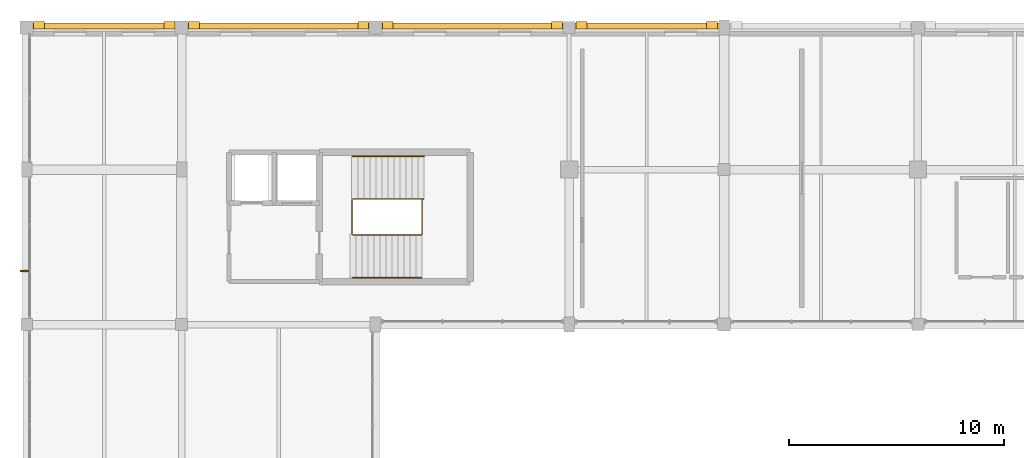
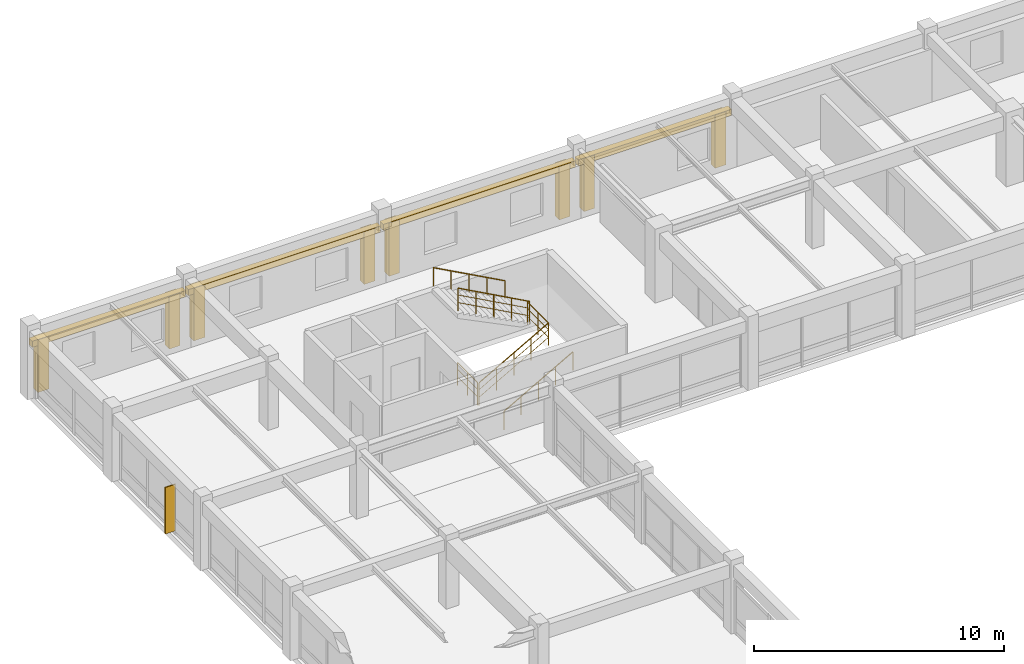
# One storey, part 68 of 74: 12 coverings, 6 railings, 1 shading device.
"""IFC4 building model written with IfcOpenShell, lengths in metres."""

from ifc_helpers import new_model, si_unit, direction, frame, frame_2d, origin, origin_2d, place, context, subcontext, project, spatial, rectangle, circle, extrude, material, layer, layer_set, type_object, element, save


model = new_model("IFC4")

# Units and contexts
model_context = context("Model", 3, precision=1e-05, world=origin(), true_north=direction((0.0, 1.0)))
body_context = subcontext(model_context, "Body", "Model", "MODEL_VIEW")
ifc_project = project(units=[si_unit("LENGTHUNIT", "METRE"), si_unit("AREAUNIT", "SQUARE_METRE"), si_unit("VOLUMEUNIT", "CUBIC_METRE"), si_unit("PLANEANGLEUNIT", "RADIAN"), si_unit("MASSUNIT", "GRAM", prefix="KILO")], contexts=[model_context])

# Site, building, storey
site_placement = place(None, origin())
site = spatial("IfcSite", under=ifc_project, at=site_placement, CompositionType="ELEMENT")
building_placement = place(site_placement, origin())
building = spatial("IfcBuilding", under=site, at=building_placement, Name="Clarverna Civic Hall", CompositionType="ELEMENT")
storey_placement = place(building_placement, frame((0.0, 0.0, 9.60009765625)))
storey = spatial("IfcBuildingStorey", under=building, at=storey_placement, Name="L02", CompositionType="ELEMENT", Elevation=9.60009765625)

# Coverings
ifc_material_1 = material(Name="Montjuic Buff Limestone Ashlar Cladding", Category="masonry")
ifc_layer_1 = layer(ifc_material_1, 0.070068359375)
ifc_layer_set_1 = layer_set([ifc_layer_1], Name="Montjuic Buff Limestone Ashlar Cladding")
covering_type = type_object("IfcCoveringType", Name="CV-CL2", PredefinedType="CLADDING", material=ifc_layer_set_1)
covering_1_placement = place(storey_placement, frame((0.06005859375, 116.080078125, 2.289794921875), z_axis=(0.0, 0.0, 1.0), x_axis=(1.0, 0.0, 0.0)))
element("IfcCovering", 1, at=covering_1_placement, inside=storey, type_object=covering_type, Name="CV-CL2-401", PredefinedType="CLADDING", context=body_context, shape_type="SweptSolid", body=[
    extrude(rectangle(XDim=7.079833984375, YDim=0.280029296875, at=frame_2d((3.5400390625, 0.0))), origin(), (0.0, 0.0, 1.0), 0.300048828125),
])
for number, where, z_axis, x_axis, name in (
    (2, (0.320068359375, 116.110107421875, 0.0), (0.0, 0.0, 1.0), (1.0, 0.0, 0.0), "CV-CL2-402"),
    (3, (6.3798828125, 116.110107421875, 0.0), (0.0, 0.0, 1.0), (1.0, 0.0, 0.0), "CV-CL2-403"),
):
    element("IfcCovering", number, at=place(storey_placement, frame(where, z_axis=z_axis, x_axis=x_axis)), inside=storey, type_object=covering_type, Name=name, PredefinedType="CLADDING", context=body_context, shape_type="SweptSolid", body=[
        extrude(rectangle(XDim=0.5, YDim=0.340087890625, at=frame_2d((0.25, 0.0))), origin(), (0.0, 0.0, 1.0), 2.56982421875),
    ])
covering_2_placement = place(storey_placement, frame((7.260009765625, 116.080078125, 2.289794921875), z_axis=(0.0, 0.0, 1.0), x_axis=(1.0, 0.0, 0.0)))
element("IfcCovering", 4, at=covering_2_placement, inside=storey, type_object=covering_type, Name="CV-CL2-404", PredefinedType="CLADDING", context=body_context, shape_type="SweptSolid", body=[
    extrude(rectangle(XDim=8.8798828125, YDim=0.280029296875, at=frame_2d((4.43994140625, 0.0))), origin(), (0.0, 0.0, 1.0), 0.300048828125),
])
for number, where, z_axis, x_axis, name in (
    (5, (7.52001953125, 116.110107421875, 0.0), (0.0, 0.0, 1.0), (1.0, 0.0, 0.0), "CV-CL2-405"),
    (6, (15.3798828125, 116.110107421875, 0.0), (0.0, 0.0, 1.0), (1.0, 0.0, 0.0), "CV-CL2-406"),
):
    element("IfcCovering", number, at=place(storey_placement, frame(where, z_axis=z_axis, x_axis=x_axis)), inside=storey, type_object=covering_type, Name=name, PredefinedType="CLADDING", context=body_context, shape_type="SweptSolid", body=[
        extrude(rectangle(XDim=0.5, YDim=0.340087890625, at=frame_2d((0.25, 0.0))), origin(), (0.0, 0.0, 1.0), 2.56982421875),
    ])
covering_3_placement = place(storey_placement, frame((16.260009765625, 116.080078125, 2.31982421875), z_axis=(0.0, 0.0, 1.0), x_axis=(1.0, 0.0, 0.0)))
element("IfcCovering", 7, at=covering_3_placement, inside=storey, type_object=covering_type, Name="CV-CL2-407", PredefinedType="CLADDING", context=body_context, shape_type="SweptSolid", body=[
    extrude(rectangle(XDim=8.8798828125, YDim=0.280029296875, at=frame_2d((4.43994140625, 0.0))), origin(), (0.0, 0.0, 1.0), 0.300048828125),
])
for number, where, z_axis, x_axis, name in (
    (8, (16.52001953125, 116.110107421875, 0.0), (0.0, 0.0, 1.0), (1.0, 0.0, 0.0), "CV-CL2-408"),
    (9, (24.3798828125, 116.110107421875, 0.0), (0.0, 0.0, 1.0), (1.0, 0.0, 0.0), "CV-CL2-409"),
):
    element("IfcCovering", number, at=place(storey_placement, frame(where, z_axis=z_axis, x_axis=x_axis)), inside=storey, type_object=covering_type, Name=name, PredefinedType="CLADDING", context=body_context, shape_type="SweptSolid", body=[
        extrude(rectangle(XDim=0.5, YDim=0.340087890625, at=frame_2d((0.25, 0.0))), origin(), (0.0, 0.0, 1.0), 2.599853515625),
    ])
covering_4_placement = place(storey_placement, frame((25.260009765625, 116.080078125, 2.31982421875), z_axis=(0.0, 0.0, 1.0), x_axis=(1.0, 0.0, 0.0)))
element("IfcCovering", 10, at=covering_4_placement, inside=storey, type_object=covering_type, Name="CV-CL2-410", PredefinedType="CLADDING", context=body_context, shape_type="SweptSolid", body=[
    extrude(rectangle(XDim=7.080078125, YDim=0.280029296875, at=frame_2d((3.5400390625, 0.0))), origin(), (0.0, 0.0, 1.0), 0.300048828125),
])
for number, where, z_axis, x_axis, name in (
    (11, (25.52001953125, 116.110107421875, 0.0), (0.0, 0.0, 1.0), (1.0, 0.0, 0.0), "CV-CL2-411"),
    (12, (31.580078125, 116.110107421875, 0.0), (0.0, 0.0, 1.0), (1.0, 0.0, 0.0), "CV-CL2-412"),
):
    element("IfcCovering", number, at=place(storey_placement, frame(where, z_axis=z_axis, x_axis=x_axis)), inside=storey, type_object=covering_type, Name=name, PredefinedType="CLADDING", context=body_context, shape_type="SweptSolid", body=[
        extrude(rectangle(XDim=0.5, YDim=0.340087890625, at=frame_2d((0.25, 0.0))), origin(), (0.0, 0.0, 1.0), 2.599853515625),
    ])

# Railings
ifc_material_2 = material(Name="Anodised Bronze Architectural Balustrade")
railing_type_1 = type_object("IfcRailingType", Name="GR-02", PredefinedType="BALUSTRADE", material=ifc_material_2)
railing_1_placement = place(storey_placement, frame((15.14990234375, 106.360107421875, 0.0)))
element("IfcRailing", 13, at=railing_1_placement, inside=storey, type_object=railing_type_1, Name="GR-02-111", PredefinedType="BALUSTRADE", context=body_context, shape_type="SweptSolid", body=[
    extrude(circle(Radius=0.02392578125, at=origin_2d()), frame((0.0, 0.0, 1.09619140625), z_axis=(0.87193006163, 0.0, 0.489630439849), x_axis=(0.0, 1.0, 0.0)), (0.0, 0.0, 1.0), 3.67578125),
    extrude(circle(Radius=0.011962890625, at=origin_2d()), frame((0.0, 0.0, 0.39208984375), z_axis=(0.87193006163, 0.0, 0.489630439849), x_axis=(0.0, 1.0, 0.0)), (0.0, 0.0, 1.0), 3.67578125),
    extrude(circle(Radius=0.011962890625, at=origin_2d()), frame((0.0, 0.0, 0.76171875), z_axis=(0.87193006163, 0.0, 0.489630439849), x_axis=(0.0, 1.0, 0.0)), (0.0, 0.0, 1.0), 3.67578125),
    extrude(circle(Radius=0.02099609375, at=origin_2d()), origin(), (0.0, 0.0, 1.0), 1.072021484375),
    extrude(circle(Radius=0.02099609375, at=origin_2d()), frame((0.80126953125, 0.0, 0.449951171875)), (0.0, 0.0, 1.0), 1.072021484375),
    extrude(circle(Radius=0.02099609375, at=origin_2d()), frame((1.6025390625, 0.0, 0.89990234375)), (0.0, 0.0, 1.0), 1.072021484375),
    extrude(circle(Radius=0.02099609375, at=origin_2d()), frame((2.40380859375, 0.0, 1.349853515625)), (0.0, 0.0, 1.0), 1.072021484375),
    extrude(circle(Radius=0.02099609375, at=origin_2d()), frame((3.205078125, 0.0, 1.7998046875)), (0.0, 0.0, 1.0), 1.072021484375),
])
railing_2_placement = place(storey_placement, frame((18.35498046875, 106.360107421875, 1.7998046875)))
element("IfcRailing", 14, at=railing_2_placement, inside=storey, type_object=railing_type_1, Name="GR-02-112", PredefinedType="BALUSTRADE", context=body_context, shape_type="SweptSolid", body=[
    extrude(circle(Radius=0.02392578125, at=origin_2d()), frame((0.0, 0.0, 1.09619140625), z_axis=(0.0, 1.0, 0.0), x_axis=(-1.0, 0.0, 0.0)), (0.0, 0.0, 1.0), 1.679931640625),
    extrude(circle(Radius=0.011962890625, at=origin_2d()), frame((0.0, 0.0, 0.39208984375), z_axis=(0.0, 1.0, 0.0), x_axis=(-1.0, 0.0, 0.0)), (0.0, 0.0, 1.0), 1.679931640625),
    extrude(circle(Radius=0.011962890625, at=origin_2d()), frame((0.0, 0.0, 0.76171875), z_axis=(0.0, 1.0, 0.0), x_axis=(-1.0, 0.0, 0.0)), (0.0, 0.0, 1.0), 1.679931640625),
    extrude(circle(Radius=0.02099609375, at=origin_2d()), origin(), (0.0, 0.0, 1.0), 1.072021484375),
    extrude(circle(Radius=0.02099609375, at=origin_2d()), frame((0.0, 0.83984375, 0.0)), (0.0, 0.0, 1.0), 1.072021484375),
    extrude(circle(Radius=0.02099609375, at=origin_2d()), frame((0.0, 1.679931640625, 0.0)), (0.0, 0.0, 1.0), 1.072021484375),
])
railing_3_placement = place(storey_placement, frame((18.445068359375, 108.0400390625, 1.7998046875)))
element("IfcRailing", 15, at=railing_3_placement, inside=storey, type_object=railing_type_1, Name="GR-02-113", PredefinedType="BALUSTRADE", context=body_context, shape_type="SweptSolid", body=[
    extrude(circle(Radius=0.02392578125, at=origin_2d()), frame((0.0, 0.0, 1.09619140625), z_axis=(-0.877594727342, 0.0, 0.479403269222), x_axis=(0.0, -1.0, 0.0)), (0.0, 0.0, 1.0), 3.7548828125),
    extrude(circle(Radius=0.011962890625, at=origin_2d()), frame((0.0, 0.0, 0.39208984375), z_axis=(-0.877594727342, 0.0, 0.479403269222), x_axis=(0.0, -1.0, 0.0)), (0.0, 0.0, 1.0), 3.7548828125),
    extrude(circle(Radius=0.011962890625, at=origin_2d()), frame((0.0, 0.0, 0.76171875), z_axis=(-0.877594727342, 0.0, 0.479403269222), x_axis=(0.0, -1.0, 0.0)), (0.0, 0.0, 1.0), 3.7548828125),
    extrude(circle(Radius=0.02099609375, at=origin_2d()), origin(), (0.0, 0.0, 1.0), 1.072021484375),
    extrude(circle(Radius=0.02099609375, at=origin_2d()), frame((-0.82373046875, 0.0, 0.449951171875)), (0.0, 0.0, 1.0), 1.072021484375),
    extrude(circle(Radius=0.02099609375, at=origin_2d()), frame((-1.6474609375, 0.0, 0.89990234375)), (0.0, 0.0, 1.0), 1.072021484375),
    extrude(circle(Radius=0.02099609375, at=origin_2d()), frame((-2.471435546875, 0.0, 1.35009765625)), (0.0, 0.0, 1.0), 1.072021484375),
    extrude(circle(Radius=0.02099609375, at=origin_2d()), frame((-3.295166015625, 0.0, 1.800048828125)), (0.0, 0.0, 1.0), 1.072021484375),
])
railing_4_placement = place(storey_placement, frame((15.110107421875, 106.39990234375, 0.0)))
element("IfcRailing", 16, at=railing_4_placement, inside=storey, type_object=railing_type_1, Name="GR-02-114", PredefinedType="BALUSTRADE", context=body_context, shape_type="SweptSolid", body=[
    extrude(circle(Radius=0.02392578125, at=origin_2d()), frame((0.0, 0.0, 1.09619140625), z_axis=(0.0, 1.0, 0.0), x_axis=(-1.0, 0.0, 0.0)), (0.0, 0.0, 1.0), 1.60009765625),
    extrude(circle(Radius=0.011962890625, at=origin_2d()), frame((0.0, 0.0, 0.39208984375), z_axis=(0.0, 1.0, 0.0), x_axis=(-1.0, 0.0, 0.0)), (0.0, 0.0, 1.0), 1.60009765625),
    extrude(circle(Radius=0.011962890625, at=origin_2d()), frame((0.0, 0.0, 0.76171875), z_axis=(0.0, 1.0, 0.0), x_axis=(-1.0, 0.0, 0.0)), (0.0, 0.0, 1.0), 1.60009765625),
    extrude(circle(Radius=0.02099609375, at=origin_2d()), origin(), (0.0, 0.0, 1.0), 1.072021484375),
    extrude(circle(Radius=0.02099609375, at=origin_2d()), frame((0.0, 0.800048828125, 0.0)), (0.0, 0.0, 1.0), 1.072021484375),
    extrude(circle(Radius=0.02099609375, at=origin_2d()), frame((0.0, 1.60009765625, 0.0)), (0.0, 0.0, 1.0), 1.072021484375),
])
ifc_material_3 = material(Name="Anodised Bronze Continuous Handrail")
railing_type_2 = type_object("IfcRailingType", Name="HR-01", PredefinedType="HANDRAIL", material=ifc_material_3)
railing_5_placement = place(storey_placement, frame((15.14990234375, 104.3798828125, 0.0)))
element("IfcRailing", 17, at=railing_5_placement, inside=storey, type_object=railing_type_2, Name="HR-01-055", PredefinedType="HANDRAIL", context=body_context, shape_type="SweptSolid", body=[
    extrude(circle(Radius=0.02392578125, at=origin_2d()), frame((0.0, 0.0, 0.89599609375), z_axis=(0.870953600603, 0.0, 0.491365266982), x_axis=(0.0, 1.0, 0.0)), (0.0, 0.0, 1.0), 3.662841796875),
    extrude(circle(Radius=0.02099609375, at=origin_2d()), origin(), (0.0, 0.0, 1.0), 0.871826171875),
    extrude(circle(Radius=0.02099609375, at=origin_2d()), frame((0.797607421875, 0.0, 0.449951171875)), (0.0, 0.0, 1.0), 0.871826171875),
    extrude(circle(Radius=0.02099609375, at=origin_2d()), frame((1.59521484375, 0.0, 0.89990234375)), (0.0, 0.0, 1.0), 0.871826171875),
    extrude(circle(Radius=0.02099609375, at=origin_2d()), frame((2.392578125, 0.0, 1.349853515625)), (0.0, 0.0, 1.0), 0.871826171875),
    extrude(circle(Radius=0.02099609375, at=origin_2d()), frame((3.190185546875, 0.0, 1.7998046875)), (0.0, 0.0, 1.0), 0.871826171875),
])
railing_6_placement = place(storey_placement, frame((18.4599609375, 110.02001953125, 1.7998046875)))
element("IfcRailing", 18, at=railing_6_placement, inside=storey, type_object=railing_type_2, Name="HR-01-056", PredefinedType="HANDRAIL", context=body_context, shape_type="SweptSolid", body=[
    extrude(circle(Radius=0.02392578125, at=origin_2d()), frame((0.0, 0.0, 0.89599609375), z_axis=(-0.878501555178, 0.0, 0.477739487116), x_axis=(0.0, -1.0, 0.0)), (0.0, 0.0, 1.0), 3.767822265625),
    extrude(circle(Radius=0.02099609375, at=origin_2d()), origin(), (0.0, 0.0, 1.0), 0.871826171875),
    extrude(circle(Radius=0.02099609375, at=origin_2d()), frame((-0.82763671875, 0.0, 0.449951171875)), (0.0, 0.0, 1.0), 0.871826171875),
    extrude(circle(Radius=0.02099609375, at=origin_2d()), frame((-1.655029296875, 0.0, 0.89990234375)), (0.0, 0.0, 1.0), 0.871826171875),
    extrude(circle(Radius=0.02099609375, at=origin_2d()), frame((-2.482421875, 0.0, 1.35009765625)), (0.0, 0.0, 1.0), 0.871826171875),
    extrude(circle(Radius=0.02099609375, at=origin_2d()), frame((-3.31005859375, 0.0, 1.800048828125)), (0.0, 0.0, 1.0), 0.871826171875),
])

# Shading device
ifc_material_4 = material(Name="Anodised Bronze Architectural Solar Fin", Category="aluminium")
ifc_layer_2 = layer(ifc_material_4, 0.054931640625)
ifc_layer_set_2 = layer_set([ifc_layer_2], Name="Anodised Bronze Architectural Solar Fin")
shading_device_type = type_object("IfcShadingDeviceType", Name="SD-FN1", PredefinedType="USERDEFINED", material=ifc_layer_set_2)
shading_device_placement = place(storey_placement, frame((0.169921875, 104.69091796875, 0.14990234375), z_axis=(0.0, 0.0, 1.0), x_axis=(-1.0, 0.0, 0.0)))
element("IfcShadingDevice", 19, at=shading_device_placement, inside=storey, type_object=shading_device_type, Name="SD-FN1-014", ObjectType="FIN", PredefinedType="USERDEFINED", context=body_context, shape_type="SweptSolid", body=[
    extrude(rectangle(XDim=0.47998046875, YDim=0.054931640625, at=frame_2d((0.239990234375, 0.0))), origin(), (0.0, 0.0, 1.0), 2.27001953125),
])

save(model, "model.ifc")
